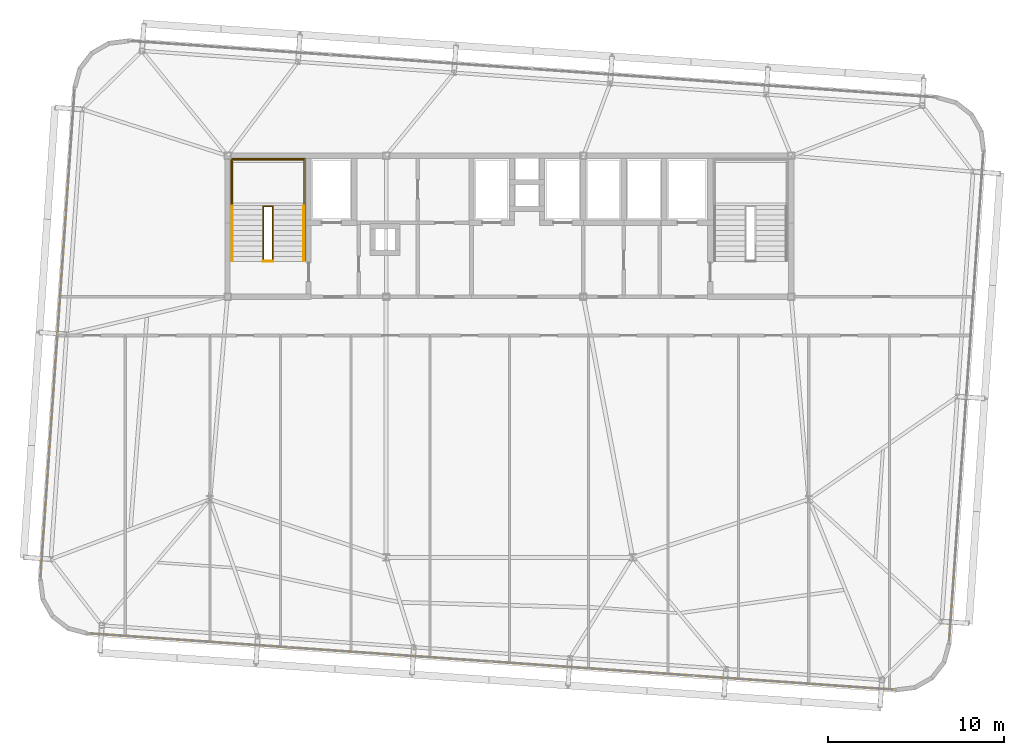
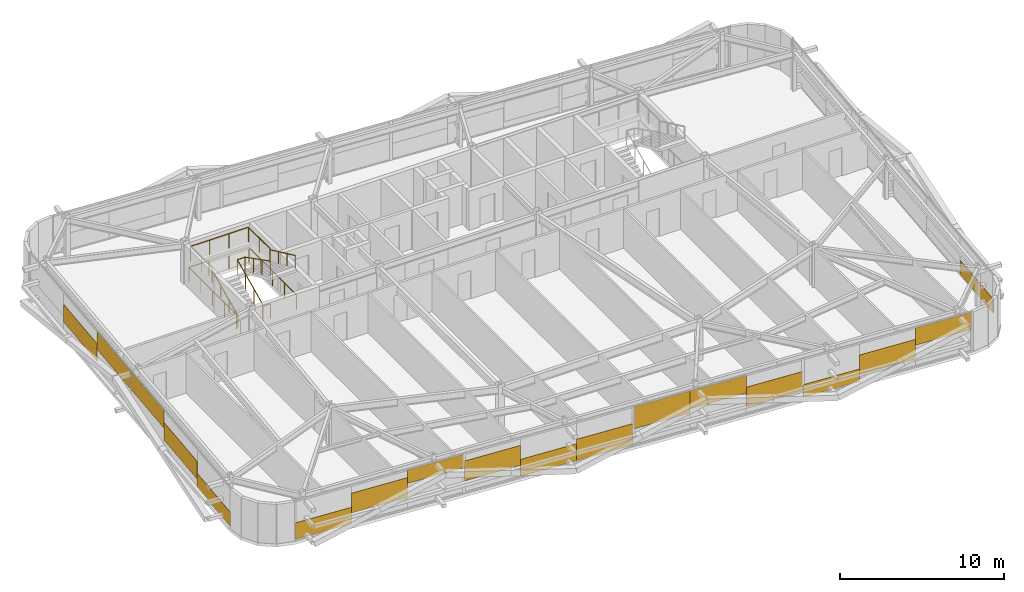
# One storey, part 38 of 39: 18 coverings, 6 railings.
"""IFC4 building model written with IfcOpenShell, lengths in metres."""

from ifc_helpers import new_model, si_unit, direction, frame, origin, origin_2d, place, context, subcontext, project, spatial, rectangle, extrude, source, transform, mapped, material, layer, layer_set, type_object, element, save


model = new_model("IFC4")

# Units and contexts
model_context = context("Model", 3, precision=1e-05, world=origin(), true_north=direction((0.0, 1.0)))
body_context = subcontext(model_context, "Body", "Model", "MODEL_VIEW")
ifc_project = project(units=[si_unit("LENGTHUNIT", "METRE"), si_unit("AREAUNIT", "SQUARE_METRE"), si_unit("VOLUMEUNIT", "CUBIC_METRE"), si_unit("PLANEANGLEUNIT", "RADIAN"), si_unit("MASSUNIT", "GRAM", prefix="KILO")], contexts=[model_context])

# Site, building, storey
site_placement = place(None, origin())
site = spatial("IfcSite", under=ifc_project, at=site_placement, CompositionType="ELEMENT")
building_placement = place(site_placement, origin())
building = spatial("IfcBuilding", under=site, at=building_placement, Name="Taldren Reach Tower", CompositionType="ELEMENT")
storey_placement = place(building_placement, frame((0.0, 0.0, 158.199951171875)))
storey = spatial("IfcBuildingStorey", under=building, at=storey_placement, Name="L48", CompositionType="ELEMENT", Elevation=158.199951171875)

# Railings
ifc_material_1 = material(Name="Steel Gr 350 (C350L0)", Category="steel")
ifc_layer_1 = layer(ifc_material_1, 0.050048828125)
ifc_layer_set_1 = layer_set([ifc_layer_1], Name="Steel Gr 350 (C350L0)")
railing_type_1 = type_object("IfcRailingType", Name="RL-STAIR-GR", PredefinedType="GUARDRAIL", material=ifc_layer_set_1)
railing_1_placement = place(storey_placement, frame((19.260009765625, 29.135009765625, 1.574951171875)))
element("IfcRailing", 1, at=railing_1_placement, inside=storey, type_object=railing_type_1, Name="Stair half-landing perimeter guard ST1-L48", PredefinedType="GUARDRAIL", context=body_context, shape_type="SweptSolid", body=[
    extrude(rectangle(XDim=0.047852, YDim=0.047852, at=origin_2d()), frame((0.0, 0.0, 1.09619140625), z_axis=(0.0, 1.0, 0.0), x_axis=(-1.0, 0.0, 0.0)), (0.0, 0.0, 1.0), 2.64501953125),
    extrude(rectangle(XDim=0.047852, YDim=0.047852, at=origin_2d()), frame((0.0, 2.64501953125, 1.09619140625), z_axis=(1.0, 0.0, 0.0), x_axis=(0.0, 1.0, 0.0)), (0.0, 0.0, 1.0), 4.080078125),
    extrude(rectangle(XDim=0.047852, YDim=0.047852, at=origin_2d()), frame((4.080078125, 2.64501953125, 1.09619140625), z_axis=(0.0, -1.0, 0.0), x_axis=(1.0, 0.0, 0.0)), (0.0, 0.0, 1.0), 2.64501953125),
    extrude(rectangle(XDim=0.041992, YDim=0.041992, at=origin_2d()), origin(), (0.0, 0.0, 1.0), 1.072021484375),
    extrude(rectangle(XDim=0.041992, YDim=0.041992, at=origin_2d()), frame((0.0, 1.322509765625, 0.0)), (0.0, 0.0, 1.0), 1.072021484375),
    extrude(rectangle(XDim=0.041992, YDim=0.041992, at=origin_2d()), frame((0.0, 2.64501953125, 0.0)), (0.0, 0.0, 1.0), 1.072021484375),
    extrude(rectangle(XDim=0.041992, YDim=0.041992, at=origin_2d()), frame((1.360107421875, 2.64501953125, 0.0)), (0.0, 0.0, 1.0), 1.072021484375),
    extrude(rectangle(XDim=0.041992, YDim=0.041992, at=origin_2d()), frame((2.719970703125, 2.64501953125, 0.0)), (0.0, 0.0, 1.0), 1.072021484375),
    extrude(rectangle(XDim=0.041992, YDim=0.041992, at=origin_2d()), frame((4.080078125, 2.64501953125, 0.0)), (0.0, 0.0, 1.0), 1.072021484375),
    extrude(rectangle(XDim=0.041992, YDim=0.041992, at=origin_2d()), frame((4.080078125, 1.322509765625, 0.0)), (0.0, 0.0, 1.0), 1.072021484375),
    extrude(rectangle(XDim=0.041992, YDim=0.041992, at=origin_2d()), frame((4.080078125, 0.0, 0.0)), (0.0, 0.0, 1.0), 1.072021484375),
])
railing_2_placement = place(storey_placement, frame((21.030029296875, 26.050048828125, 0.13134765625)))
element("IfcRailing", 2, at=railing_2_placement, inside=storey, type_object=railing_type_1, Name="Stairwell inner guard ST1-L48", PredefinedType="GUARDRAIL", context=body_context, shape_type="SweptSolid", body=[
    extrude(rectangle(XDim=0.047852, YDim=0.047852, at=origin_2d()), frame((0.0, 0.0, 1.09619140625), z_axis=(0.0, 0.905737652094, 0.423838773095), x_axis=(-1.0, 0.0, 0.0)), (0.0, 0.0, 1.0), 3.406005859375),
    extrude(rectangle(XDim=0.047852, YDim=0.047852, at=origin_2d()), frame((0.0, 3.0849609375, 2.53955078125), z_axis=(1.0, 0.0, 0.0), x_axis=(0.0, 1.0, 0.0)), (0.0, 0.0, 1.0), 0.5400390625),
    extrude(rectangle(XDim=0.047852, YDim=0.047852, at=origin_2d()), frame((0.5400390625, 3.0849609375, 2.53955078125), z_axis=(0.0, -0.890617412389, 0.454753366946), x_axis=(1.0, 0.0, 0.0)), (0.0, 0.0, 1.0), 3.4638671875),
    extrude(rectangle(XDim=0.041992, YDim=0.041992, at=origin_2d()), origin(), (0.0, 0.0, 1.0), 1.072021484375),
    extrude(rectangle(XDim=0.041992, YDim=0.041992, at=origin_2d()), frame((0.0, 1.0283203125, 0.481201171875)), (0.0, 0.0, 1.0), 1.072021484375),
    extrude(rectangle(XDim=0.041992, YDim=0.041992, at=origin_2d()), frame((0.0, 2.056640625, 0.96240234375)), (0.0, 0.0, 1.0), 1.072021484375),
    extrude(rectangle(XDim=0.041992, YDim=0.041992, at=origin_2d()), frame((0.0, 3.0849609375, 1.443603515625)), (0.0, 0.0, 1.0), 1.072021484375),
    extrude(rectangle(XDim=0.041992, YDim=0.041992, at=origin_2d()), frame((0.5400390625, 3.0849609375, 1.443603515625)), (0.0, 0.0, 1.0), 1.072021484375),
    extrude(rectangle(XDim=0.041992, YDim=0.041992, at=origin_2d()), frame((0.5400390625, 2.056640625, 1.96875)), (0.0, 0.0, 1.0), 1.072021484375),
    extrude(rectangle(XDim=0.041992, YDim=0.041992, at=origin_2d()), frame((0.5400390625, 1.0283203125, 2.49365234375)), (0.0, 0.0, 1.0), 1.072021484375),
    extrude(rectangle(XDim=0.041992, YDim=0.041992, at=origin_2d()), frame((0.5400390625, 0.0, 3.018798828125)), (0.0, 0.0, 1.0), 1.072021484375),
])
railing_3_placement = place(storey_placement, frame((21.030029296875, 26.010009765625, 0.0)))
element("IfcRailing", 3, at=railing_3_placement, inside=storey, type_object=railing_type_1, Name="Stairwell landing slot guard ST1-L48", PredefinedType="GUARDRAIL", context=body_context, shape_type="SweptSolid", body=[
    extrude(rectangle(XDim=0.047852, YDim=0.047852, at=origin_2d()), frame((0.0, 0.0, 1.09619140625), z_axis=(1.0, 0.0, 0.0), x_axis=(0.0, 1.0, 0.0)), (0.0, 0.0, 1.0), 0.5400390625),
    extrude(rectangle(XDim=0.041992, YDim=0.041992, at=origin_2d()), origin(), (0.0, 0.0, 1.0), 1.072021484375),
    extrude(rectangle(XDim=0.041992, YDim=0.041992, at=origin_2d()), frame((0.5400390625, 0.0, 0.0)), (0.0, 0.0, 1.0), 1.072021484375),
])
railing_4_placement = place(storey_placement, frame((19.18994140625, 26.050048828125, 0.0)))
element("IfcRailing", 4, at=railing_4_placement, inside=storey, type_object=railing_type_1, Name="Stairwell floor opening guard ST1-L48", PredefinedType="GUARDRAIL", context=body_context, shape_type="SweptSolid", body=[
    extrude(rectangle(XDim=0.047852, YDim=0.047852, at=origin_2d()), frame((0.0, 0.0, 1.09619140625), z_axis=(0.0, 1.0, 0.0), x_axis=(-1.0, 0.0, 0.0)), (0.0, 0.0, 1.0), 5.800048828125),
    extrude(rectangle(XDim=0.047852, YDim=0.047852, at=origin_2d()), frame((0.0, 5.800048828125, 1.09619140625), z_axis=(1.0, 0.0, 0.0), x_axis=(0.0, 1.0, 0.0)), (0.0, 0.0, 1.0), 4.219970703125),
    extrude(rectangle(XDim=0.047852, YDim=0.047852, at=origin_2d()), frame((4.219970703125, 5.800048828125, 1.09619140625), z_axis=(0.0, -1.0, 0.0), x_axis=(1.0, 0.0, 0.0)), (0.0, 0.0, 1.0), 5.800048828125),
    extrude(rectangle(XDim=0.041992, YDim=0.041992, at=origin_2d()), origin(), (0.0, 0.0, 1.0), 1.072021484375),
    extrude(rectangle(XDim=0.041992, YDim=0.041992, at=origin_2d()), frame((0.0, 1.449951171875, 0.0)), (0.0, 0.0, 1.0), 1.072021484375),
    extrude(rectangle(XDim=0.041992, YDim=0.041992, at=origin_2d()), frame((0.0, 2.89990234375, 0.0)), (0.0, 0.0, 1.0), 1.072021484375),
    extrude(rectangle(XDim=0.041992, YDim=0.041992, at=origin_2d()), frame((0.0, 4.35009765625, 0.0)), (0.0, 0.0, 1.0), 1.072021484375),
    extrude(rectangle(XDim=0.041992, YDim=0.041992, at=origin_2d()), frame((0.0, 5.800048828125, 0.0)), (0.0, 0.0, 1.0), 1.072021484375),
    extrude(rectangle(XDim=0.041992, YDim=0.041992, at=origin_2d()), frame((1.40673828125, 5.800048828125, 0.0)), (0.0, 0.0, 1.0), 1.072021484375),
    extrude(rectangle(XDim=0.041992, YDim=0.041992, at=origin_2d()), frame((2.813232421875, 5.800048828125, 0.0)), (0.0, 0.0, 1.0), 1.072021484375),
    extrude(rectangle(XDim=0.041992, YDim=0.041992, at=origin_2d()), frame((4.219970703125, 5.800048828125, 0.0)), (0.0, 0.0, 1.0), 1.072021484375),
    extrude(rectangle(XDim=0.041992, YDim=0.041992, at=origin_2d()), frame((4.219970703125, 4.35009765625, 0.0)), (0.0, 0.0, 1.0), 1.072021484375),
    extrude(rectangle(XDim=0.041992, YDim=0.041992, at=origin_2d()), frame((4.219970703125, 2.89990234375, 0.0)), (0.0, 0.0, 1.0), 1.072021484375),
    extrude(rectangle(XDim=0.041992, YDim=0.041992, at=origin_2d()), frame((4.219970703125, 1.449951171875, 0.0)), (0.0, 0.0, 1.0), 1.072021484375),
    extrude(rectangle(XDim=0.041992, YDim=0.041992, at=origin_2d()), frame((4.219970703125, 0.0, 0.0)), (0.0, 0.0, 1.0), 1.072021484375),
])
ifc_material_2 = material(Name="Stainless Steel Gr 316", Category="steel")
ifc_layer_2 = layer(ifc_material_2, 0.048095703125)
ifc_layer_set_2 = layer_set([ifc_layer_2], Name="Stainless Steel Gr 316")
railing_type_2 = type_object("IfcRailingType", Name="RL-STAIR-HR", PredefinedType="HANDRAIL", material=ifc_layer_set_2)
railing_5_placement = place(storey_placement, frame((19.27001953125, 26.050048828125, 0.13134765625)))
element("IfcRailing", 5, at=railing_5_placement, inside=storey, type_object=railing_type_2, Name="Stair flight handrail ST1-L48-1", PredefinedType="HANDRAIL", context=body_context, shape_type="SweptSolid", body=[
    extrude(rectangle(XDim=0.047852, YDim=0.047852, at=origin_2d()), frame((0.0, 0.0, 0.89599609375), z_axis=(0.0, 0.905737652094, 0.423838773095), x_axis=(-1.0, 0.0, 0.0)), (0.0, 0.0, 1.0), 3.406005859375),
    extrude(rectangle(XDim=0.041992, YDim=0.041992, at=origin_2d()), origin(), (0.0, 0.0, 1.0), 0.871826171875),
    extrude(rectangle(XDim=0.041992, YDim=0.041992, at=origin_2d()), frame((0.0, 1.0283203125, 0.481201171875)), (0.0, 0.0, 1.0), 0.871826171875),
    extrude(rectangle(XDim=0.041992, YDim=0.041992, at=origin_2d()), frame((0.0, 2.056640625, 0.96240234375)), (0.0, 0.0, 1.0), 0.871826171875),
    extrude(rectangle(XDim=0.041992, YDim=0.041992, at=origin_2d()), frame((0.0, 3.0849609375, 1.443603515625)), (0.0, 0.0, 1.0), 0.871826171875),
])
railing_6_placement = place(storey_placement, frame((23.330078125, 29.135009765625, 1.706298828125)))
element("IfcRailing", 6, at=railing_6_placement, inside=storey, type_object=railing_type_2, Name="Stair flight handrail ST1-L48-2", PredefinedType="HANDRAIL", context=body_context, shape_type="SweptSolid", body=[
    extrude(rectangle(XDim=0.047852, YDim=0.047852, at=origin_2d()), frame((0.0, 0.0, 0.89599609375), z_axis=(0.0, -0.905710134349, 0.423897573167), x_axis=(1.0, 0.0, 0.0)), (0.0, 0.0, 1.0), 3.406005859375),
    extrude(rectangle(XDim=0.041992, YDim=0.041992, at=origin_2d()), origin(), (0.0, 0.0, 1.0), 0.871826171875),
    extrude(rectangle(XDim=0.041992, YDim=0.041992, at=origin_2d()), frame((0.0, -1.0283203125, 0.481201171875)), (0.0, 0.0, 1.0), 0.871826171875),
    extrude(rectangle(XDim=0.041992, YDim=0.041992, at=origin_2d()), frame((0.0, -2.056640625, 0.962646484375)), (0.0, 0.0, 1.0), 0.871826171875),
    extrude(rectangle(XDim=0.041992, YDim=0.041992, at=origin_2d()), frame((0.0, -3.0849609375, 1.44384765625)), (0.0, 0.0, 1.0), 0.871826171875),
])

# Coverings
ifc_material_3 = material(Name="Pale Champagne Fluoropolymer Aluminium Spandrel Cladding", Category="aluminium")
ifc_layer_3 = layer(ifc_material_3, 0.0439453125)
ifc_layer_set_3 = layer_set([ifc_layer_3], Name="Pale Champagne Fluoropolymer Aluminium Spandrel Cladding")
covering_type = type_object("IfcCoveringType", Name="CV-CLAD-044", PredefinedType="CLADDING", material=ifc_layer_set_3)
shared_shape_1 = source(origin(), body_context, "Body", "SweptSolid", [
    extrude(rectangle(XDim=3.79833984375, YDim=0.0439453125, at=origin_2d()), origin(), (0.0, 0.0, 1.0), 1.22216796875),
])
covering_1_placement = place(storey_placement, frame((12.994384765625, 4.748046875, 0.05517578125), z_axis=(0.0, 0.0, 1.0), x_axis=(0.99756404731, -0.06975651593, 0.0)))
element("IfcCovering", 7, at=covering_1_placement, inside=storey, type_object=covering_type, Name="Diagrid closure cladding strip CW-4 panel 1.1 1", PredefinedType="CLADDING", context=body_context, shape_type="MappedRepresentation", body=[
    mapped(shared_shape_1, transform((0.0, 0.0, 0.0), scale=1.0)),
])
shared_shape_2 = source(origin(), body_context, "Body", "SweptSolid", [
    extrude(rectangle(XDim=3.79833984375, YDim=0.0439453125, at=origin_2d()), origin(), (0.0, 0.0, 1.0), 1.474365234375),
])
for number, where, z_axis, x_axis, name in (
    (8, (16.783447265625, 4.483154296875, 0.84228515625), (0.0, 0.0, 1.0), (0.99756404731, -0.06975651593, 0.0), "Diagrid closure cladding strip CW-4 panel 1.1 2"),
    (9, (51.16455078125, 2.0791015625, 0.5537109375), (0.0, 0.0, 1.0), (0.99756404731, -0.06975651593, 0.0), "Diagrid closure cladding strip CW-4 panel 4.1 2"),
):
    element("IfcCovering", number, at=place(storey_placement, frame(where, z_axis=z_axis, x_axis=x_axis)), inside=storey, type_object=covering_type, Name=name, PredefinedType="CLADDING", context=body_context, shape_type="MappedRepresentation", body=[
        mapped(shared_shape_2, transform((0.0, 0.0, 0.0), scale=1.0)),
    ])
shared_shape_3 = source(origin(), body_context, "Body", "SweptSolid", [
    extrude(rectangle(XDim=3.79833984375, YDim=0.0439453125, at=origin_2d()), origin(), (0.0, 0.0, 1.0), 0.993408203125),
])
covering_2_placement = place(storey_placement, frame((20.572509765625, 4.21826171875, 1.8818359375), z_axis=(0.0, 0.0, 1.0), x_axis=(0.99756404731, -0.06975651593, 0.0)))
element("IfcCovering", 10, at=covering_2_placement, inside=storey, type_object=covering_type, Name="Diagrid closure cladding strip CW-4 panel 1.1 3", PredefinedType="CLADDING", context=body_context, shape_type="MappedRepresentation", body=[
    mapped(shared_shape_3, transform((0.0, 0.0, 0.0), scale=1.0)),
])
shared_shape_4 = source(origin(), body_context, "Body", "SweptSolid", [
    extrude(rectangle(XDim=3.81005859375, YDim=0.0439453125, at=origin_2d()), origin(), (0.0, 0.0, 1.0), 1.477783203125),
])
for number, where, z_axis, x_axis, name in (
    (11, (24.437255859375, 3.947998046875, 0.88232421875), (0.0, 0.0, 1.0), (0.99756404731, -0.06975651593, 0.0), "Diagrid closure cladding strip CW-4 panel 2.1 1"),
    (12, (43.510498046875, 2.6142578125, 0.51025390625), (0.0, 0.0, 1.0), (0.99756404731, -0.06975651593, 0.0), "Diagrid closure cladding strip CW-4 panel 3.1 3"),
):
    element("IfcCovering", number, at=place(storey_placement, frame(where, z_axis=z_axis, x_axis=x_axis)), inside=storey, type_object=covering_type, Name=name, PredefinedType="CLADDING", context=body_context, shape_type="MappedRepresentation", body=[
        mapped(shared_shape_4, transform((0.0, 0.0, 0.0), scale=1.0)),
    ])
shared_shape_5 = source(origin(), body_context, "Body", "SweptSolid", [
    extrude(rectangle(XDim=3.81005859375, YDim=0.0439453125, at=origin_2d()), origin(), (0.0, 0.0, 1.0), 1.26220703125),
])
covering_3_placement = place(storey_placement, frame((28.23779296875, 3.68212890625, 0.05517578125), z_axis=(0.0, 0.0, 1.0), x_axis=(0.99756404731, -0.06975651593, 0.0)))
element("IfcCovering", 13, at=covering_3_placement, inside=storey, type_object=covering_type, Name="Diagrid closure cladding strip CW-4 panel 2.1 2", PredefinedType="CLADDING", context=body_context, shape_type="MappedRepresentation", body=[
    mapped(shared_shape_5, transform((0.0, 0.0, 0.0), scale=1.0)),
])
shared_shape_6 = source(origin(), body_context, "Body", "SweptSolid", [
    extrude(rectangle(XDim=3.81005859375, YDim=0.0439453125, at=origin_2d()), origin(), (0.0, 0.0, 1.0), 1.587890625),
])
covering_4_placement = place(storey_placement, frame((32.03857421875, 3.41650390625, 0.05517578125), z_axis=(0.0, 0.0, 1.0), x_axis=(0.99756404731, -0.06975651593, 0.0)))
element("IfcCovering", 14, at=covering_4_placement, inside=storey, type_object=covering_type, Name="Diagrid closure cladding strip CW-4 panel 2.1 3", PredefinedType="CLADDING", context=body_context, shape_type="MappedRepresentation", body=[
    mapped(shared_shape_6, transform((0.0, 0.0, 0.0), scale=1.0)),
])
shared_shape_7 = source(origin(), body_context, "Body", "SweptSolid", [
    extrude(rectangle(XDim=3.81005859375, YDim=0.0439453125, at=origin_2d()), origin(), (0.0, 0.0, 1.0), 1.64794921875),
])
covering_5_placement = place(storey_placement, frame((35.9091796875, 3.145751953125, 1.22705078125), z_axis=(0.0, 0.0, 1.0), x_axis=(0.99756404731, -0.06975651593, 0.0)))
element("IfcCovering", 15, at=covering_5_placement, inside=storey, type_object=covering_type, Name="Diagrid closure cladding strip CW-4 panel 3.1 1", PredefinedType="CLADDING", context=body_context, shape_type="MappedRepresentation", body=[
    mapped(shared_shape_7, transform((0.0, 0.0, 0.0), scale=1.0)),
])
shared_shape_8 = source(origin(), body_context, "Body", "SweptSolid", [
    extrude(rectangle(XDim=3.81005859375, YDim=0.0439453125, at=origin_2d()), origin(), (0.0, 0.0, 1.0), 1.322265625),
])
covering_6_placement = place(storey_placement, frame((39.7099609375, 2.8798828125, 1.552734375), z_axis=(0.0, 0.0, 1.0), x_axis=(0.99756404731, -0.06975651593, 0.0)))
element("IfcCovering", 16, at=covering_6_placement, inside=storey, type_object=covering_type, Name="Diagrid closure cladding strip CW-4 panel 3.1 2", PredefinedType="CLADDING", context=body_context, shape_type="MappedRepresentation", body=[
    mapped(shared_shape_8, transform((0.0, 0.0, 0.0), scale=1.0)),
])
shared_shape_9 = source(origin(), body_context, "Body", "SweptSolid", [
    extrude(rectangle(XDim=3.79833984375, YDim=0.0439453125, at=origin_2d()), origin(), (0.0, 0.0, 1.0), 0.93359375),
])
covering_7_placement = place(storey_placement, frame((47.375244140625, 2.343994140625, 0.054931640625), z_axis=(0.0, 0.0, 1.0), x_axis=(0.99756404731, -0.06975651593, 0.0)))
element("IfcCovering", 17, at=covering_7_placement, inside=storey, type_object=covering_type, Name="Diagrid closure cladding strip CW-4 panel 4.1 1", PredefinedType="CLADDING", context=body_context, shape_type="MappedRepresentation", body=[
    mapped(shared_shape_9, transform((0.0, 0.0, 0.0), scale=1.0)),
])
shared_shape_10 = source(origin(), body_context, "Body", "SweptSolid", [
    extrude(rectangle(XDim=3.79833984375, YDim=0.0439453125, at=origin_2d()), origin(), (0.0, 0.0, 1.0), 1.2822265625),
])
covering_8_placement = place(storey_placement, frame((54.95361328125, 1.81396484375, 1.5927734375), z_axis=(0.0, 0.0, 1.0), x_axis=(0.99756404731, -0.06975651593, 0.0)))
element("IfcCovering", 18, at=covering_8_placement, inside=storey, type_object=covering_type, Name="Diagrid closure cladding strip CW-4 panel 4.1 3", PredefinedType="CLADDING", context=body_context, shape_type="MappedRepresentation", body=[
    mapped(shared_shape_10, transform((0.0, 0.0, 0.0), scale=1.0)),
])
shared_shape_11 = source(origin(), body_context, "Body", "SweptSolid", [
    extrude(rectangle(XDim=4.631591796875, YDim=0.0439453125, at=origin_2d()), origin(), (0.0, 0.0, 1.0), 1.04345703125),
])
for number, where, z_axis, x_axis, name in (
    (19, (8.542724609375, 10.318115234375, 0.054931640625), (0.0, 0.0, 1.0), (-0.069756437251, -0.997564052812, 0.0), "Diagrid closure cladding strip CW-4 panel 2.1 3"),
    (20, (60.136962890625, 6.710205078125, 0.054931640625), (0.0, 0.0, 1.0), (0.069756437251, 0.997564052812, 0.0), "Diagrid closure cladding strip CW-4 panel 1.1 1"),
):
    element("IfcCovering", number, at=place(storey_placement, frame(where, z_axis=z_axis, x_axis=x_axis)), inside=storey, type_object=covering_type, Name=name, PredefinedType="CLADDING", context=body_context, shape_type="MappedRepresentation", body=[
        mapped(shared_shape_11, transform((0.0, 0.0, 0.0), scale=1.0)),
    ])
shared_shape_12 = source(origin(), body_context, "Body", "SweptSolid", [
    extrude(rectangle(XDim=4.631591796875, YDim=0.0439453125, at=origin_2d()), origin(), (0.0, 0.0, 1.0), 1.306640625),
])
for number, where, z_axis, x_axis, name in (
    (21, (9.840087890625, 28.869384765625, 0.671142578125), (0.0, 0.0, 1.0), (-0.069756437251, -0.997564052812, 0.0), "Diagrid closure cladding strip CW-4 panel 1.1 2"),
    (22, (8.865966796875, 14.9384765625, 0.671142578125), (0.0, 0.0, 1.0), (-0.069756437251, -0.997564052812, 0.0), "Diagrid closure cladding strip CW-4 panel 2.1 2"),
):
    element("IfcCovering", number, at=place(storey_placement, frame(where, z_axis=z_axis, x_axis=x_axis)), inside=storey, type_object=covering_type, Name=name, PredefinedType="CLADDING", context=body_context, shape_type="MappedRepresentation", body=[
        mapped(shared_shape_12, transform((0.0, 0.0, 0.0), scale=1.0)),
    ])
shared_shape_13 = source(origin(), body_context, "Body", "SweptSolid", [
    extrude(rectangle(XDim=4.631591796875, YDim=0.0439453125, at=origin_2d()), origin(), (0.0, 0.0, 1.0), 1.32470703125),
])
for number, where, z_axis, x_axis, name in (
    (23, (9.51708984375, 24.2490234375, 1.55029296875), (0.0, 0.0, 1.0), (-0.069756437251, -0.997564052812, 0.0), "Diagrid closure cladding strip CW-4 panel 1.1 3"),
    (24, (9.18896484375, 19.558837890625, 1.55029296875), (0.0, 0.0, 1.0), (-0.069756437251, -0.997564052812, 0.0), "Diagrid closure cladding strip CW-4 panel 2.1 1"),
):
    element("IfcCovering", number, at=place(storey_placement, frame(where, z_axis=z_axis, x_axis=x_axis)), inside=storey, type_object=covering_type, Name=name, PredefinedType="CLADDING", context=body_context, shape_type="MappedRepresentation", body=[
        mapped(shared_shape_13, transform((0.0, 0.0, 0.0), scale=1.0)),
    ])

save(model, "model.ifc")
